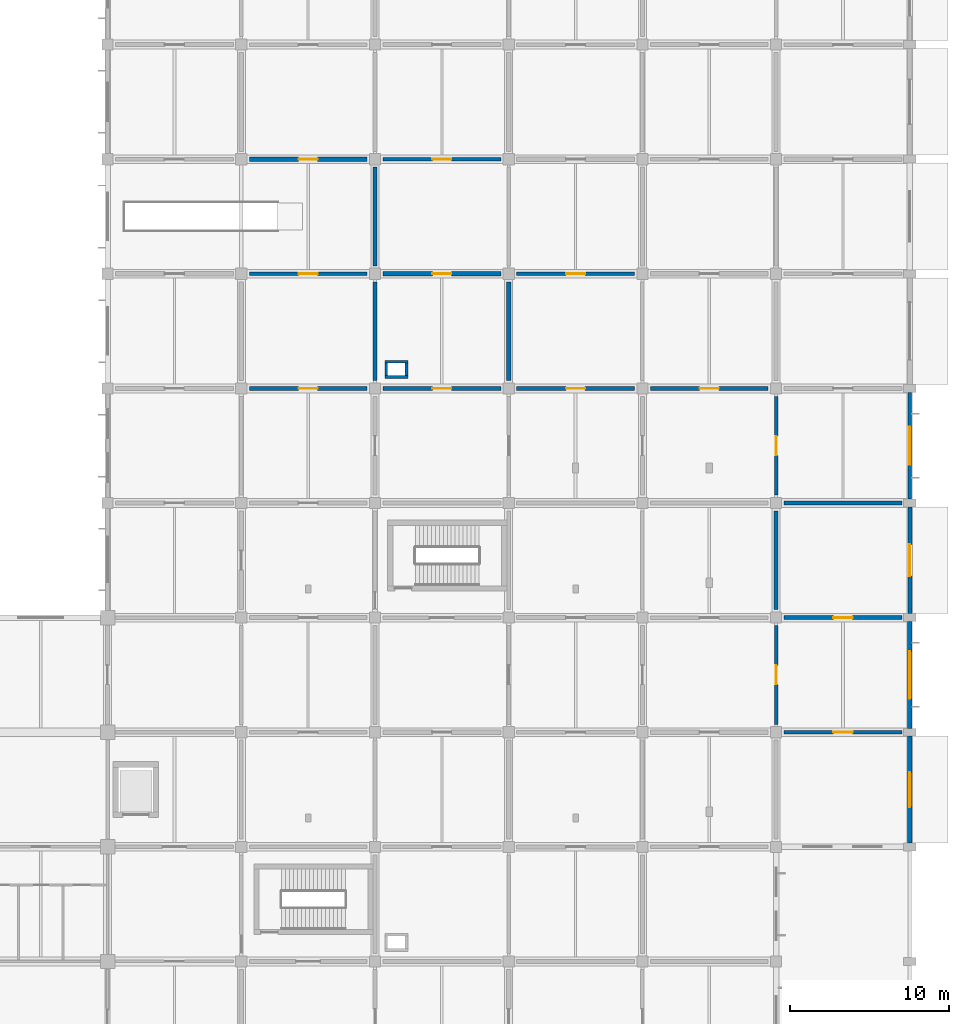
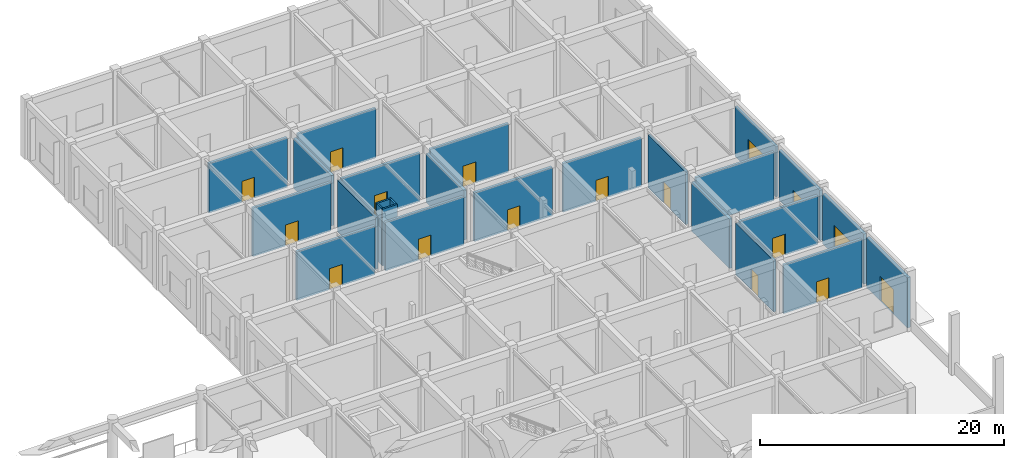
# One storey, part 25 of 39: 26 walls, 15 doors, 2 windows, 17 openings.
"""IFC4 building model written with IfcOpenShell, lengths in metres."""

from ifc_helpers import new_model, si_unit, derived_unit, direction, frame, frame_2d, origin, place, context, subcontext, project, spatial, rectangle, extrude, material, layer, layer_set, type_object, element, fill, save


model = new_model("IFC4")

# Units and contexts
model_context = context("Model", 3, precision=1e-05, world=origin(), true_north=direction((0.0, 1.0)))
body_context = subcontext(model_context, "Body", "Model", "MODEL_VIEW")
ifc_project = project(units=[si_unit("LENGTHUNIT", "METRE"), si_unit("AREAUNIT", "SQUARE_METRE"), si_unit("VOLUMEUNIT", "CUBIC_METRE"), si_unit("PLANEANGLEUNIT", "RADIAN"), si_unit("MASSUNIT", "GRAM", prefix="KILO"), derived_unit("THERMALTRANSMITTANCEUNIT", [(si_unit("MASSUNIT", "GRAM", prefix="KILO"), 1), (si_unit("TIMEUNIT", "SECOND"), -3), (si_unit("THERMODYNAMICTEMPERATUREUNIT", "KELVIN"), -1)])], contexts=[model_context])

# Site, building, storey
site_placement = place(None, origin())
site = spatial("IfcSite", under=ifc_project, at=site_placement, CompositionType="ELEMENT")
building_placement = place(site_placement, origin())
building = spatial("IfcBuilding", under=site, at=building_placement, Name="Veldstrom Oceanarium and Marine Research Institute", CompositionType="ELEMENT")
storey_placement = place(building_placement, origin())
storey = spatial("IfcBuildingStorey", under=building, at=storey_placement, Name="L00", CompositionType="ELEMENT", Elevation=0.0)

# Wall, opening, door
ifc_material_1 = material(Name="Masonry Cavity Wall", Category="masonry")
ifc_layer_1 = layer(ifc_material_1, 0.2900390625)
ifc_layer_set_1 = layer_set([ifc_layer_1], Name="ARC-WAL-EW2")
wall_type_1 = type_object("IfcWallType", Name="ARC-WAL-EW2", PredefinedType="SOLIDWALL", material=ifc_layer_set_1)
wall_1_placement = place(storey_placement, frame((168.0, 57.85009765625, 0.0), z_axis=(0.0, 0.0, 1.0), x_axis=(0.0, 1.0, 0.0)))
wall_1 = element("IfcWall", 1, at=wall_1_placement, inside=storey, type_object=wall_type_1, Name="Exterior Facade Wall EW2 L00-054", PredefinedType="SOLIDWALL", context=body_context, shape_type="SweptSolid", body=[
    extrude(rectangle(XDim=6.699951171875, YDim=0.2900390625, at=frame_2d((3.35009765625, 0.0))), origin(), (0.0, 0.0, 1.0), 5.02001953125),
])
opening_1_placement = place(wall_1_placement, frame((2.25, 0.0, 0.0)))
opening_1 = element("IfcOpeningElement", 2, at=opening_1_placement, cuts=wall_1, Name="Opening D-L00-014", PredefinedType="OPENING", context=body_context, shape_type="SweptSolid", body=[
    extrude(rectangle(XDim=2.199951171875, YDim=2.449951171875, at=frame_2d((1.10009765625, 1.22509765625))), frame((0.0, 0.155029296875, 0.0), z_axis=(0.0, -1.0, 0.0), x_axis=(1.0, 0.0, 0.0)), (0.0, 0.0, 1.0), 0.31005859375),
])
ifc_material_2 = material(Name="Anodised Aluminium Main Entrance Door", Category="aluminium")
door_type_1 = type_object("IfcDoorType", Name="ARC-DOR-ED6", OperationType="DOUBLE_DOOR_SINGLE_SWING", PredefinedType="DOOR", material=ifc_material_2)
door_1_placement = place(opening_1_placement, frame((2.199951171875, 0.0, 0.0), z_axis=(0.0, 0.0, 1.0), x_axis=(-1.0, 0.0, 0.0)))
door_1 = element("IfcDoor", 3, at=door_1_placement, inside=storey, type_object=door_type_1, Name="Street Entrance / Exit Door D-L00-014", OperationType="DOUBLE_DOOR_SINGLE_SWING", OverallHeight=2.449951171875, OverallWidth=2.199951171875, PredefinedType="DOOR", context=body_context, shape_type="SweptSolid", body=[
    extrude(rectangle(XDim=2.199951171875, YDim=2.449951171875, at=frame_2d((1.10009765625, 1.22509765625))), frame((0.0, 0.02490234375, 0.0), z_axis=(0.0, -1.0, 0.0), x_axis=(1.0, 0.0, 0.0)), (0.0, 0.0, 1.0), 0.050048828125),
])
fill(opening_1, door_1)

# Wall, opening, window
ifc_material_3 = material(Name="Masonry Cavity Wall", Category="masonry")
ifc_layer_2 = layer(ifc_material_3, 0.27001953125)
ifc_layer_set_2 = layer_set([ifc_layer_2], Name="ARC-WAL-EW3")
wall_type_2 = type_object("IfcWallType", Name="ARC-WAL-EW3", PredefinedType="SOLIDWALL", material=ifc_layer_set_2)
wall_2_placement = place(storey_placement, frame((168.0, 65.050048828125, 0.0), z_axis=(0.0, 0.0, 1.0), x_axis=(0.0, 1.0, 0.0)))
wall_2 = element("IfcWall", 4, at=wall_2_placement, inside=storey, type_object=wall_type_2, Name="Exterior Facade Wall EW3 L00-055", PredefinedType="SOLIDWALL", context=body_context, shape_type="SweptSolid", body=[
    extrude(rectangle(XDim=6.699951171875, YDim=0.27001953125, at=frame_2d((3.35009765625, 0.0))), origin(), (0.0, 0.0, 1.0), 5.02001953125),
])
opening_2_placement = place(wall_2_placement, frame((1.85009765625, 0.0, 0.89990234375)))
opening_2 = element("IfcOpeningElement", 5, at=opening_2_placement, cuts=wall_2, Name="Opening W07", PredefinedType="OPENING", context=body_context, shape_type="SweptSolid", body=[
    extrude(rectangle(XDim=3.0, YDim=2.10009765625, at=frame_2d((1.5, 1.050048828125))), frame((0.0, 0.14501953125, 0.0), z_axis=(0.0, -1.0, 0.0), x_axis=(1.0, 0.0, 0.0)), (0.0, 0.0, 1.0), 0.2900390625),
])
ifc_material_4 = material(Name="Double Glazed Low-E IGU", Category="glass")
window_type_1 = type_object("IfcWindowType", Name="ARC-WIN-W07", PartitioningType="SINGLE_PANEL", PredefinedType="WINDOW", material=ifc_material_4)
window_1_placement = place(opening_2_placement, origin())
window_1 = element("IfcWindow", 6, at=window_1_placement, inside=storey, type_object=window_type_1, Name="Facade Window W07 L00-0033", OverallHeight=2.10009765625, OverallWidth=3.0, PartitioningType="SINGLE_PANEL", PredefinedType="WINDOW", context=body_context, shape_type="SweptSolid", body=[
    extrude(rectangle(XDim=3.0, YDim=2.10009765625, at=frame_2d((1.5, 1.050048828125))), frame((0.0, 0.030029296875, 0.0), z_axis=(0.0, -1.0, 0.0), x_axis=(1.0, 0.0, 0.0)), (0.0, 0.0, 1.0), 0.06005859375),
])
fill(opening_2, window_1)

# Wall, opening, door
ifc_material_5 = material(Name="Masonry Cavity Wall", Category="masonry")
ifc_layer_3 = layer(ifc_material_5, 0.25)
ifc_layer_set_3 = layer_set([ifc_layer_3], Name="ARC-WAL-EW5")
wall_type_3 = type_object("IfcWallType", Name="ARC-WAL-EW5", PredefinedType="SOLIDWALL", material=ifc_layer_set_3)
wall_3_placement = place(storey_placement, frame((168.0, 72.25, 0.0), z_axis=(0.0, 0.0, 1.0), x_axis=(0.0, 1.0, 0.0)))
wall_3 = element("IfcWall", 7, at=wall_3_placement, inside=storey, type_object=wall_type_3, Name="Exterior Facade Wall EW5 L00-056", PredefinedType="SOLIDWALL", context=body_context, shape_type="SweptSolid", body=[
    extrude(rectangle(XDim=6.699951171875, YDim=0.25, at=frame_2d((3.35009765625, 0.0))), origin(), (0.0, 0.0, 1.0), 5.02001953125),
])
opening_3_placement = place(wall_3_placement, frame((2.35009765625, 0.0, 0.0)))
opening_3 = element("IfcOpeningElement", 8, at=opening_3_placement, cuts=wall_3, Name="Opening D-L00-015", PredefinedType="OPENING", context=body_context, shape_type="SweptSolid", body=[
    extrude(rectangle(XDim=2.0, YDim=2.39990234375, at=frame_2d((1.0, 1.199951171875))), frame((0.0, 0.135009765625, 0.0), z_axis=(0.0, -1.0, 0.0), x_axis=(1.0, 0.0, 0.0)), (0.0, 0.0, 1.0), 0.27001953125),
])
ifc_material_6 = material(Name="Anodised Aluminium Glazed Door", Category="aluminium")
door_type_2 = type_object("IfcDoorType", Name="ARC-DOR-ED1", OperationType="DOUBLE_DOOR_SINGLE_SWING", PredefinedType="DOOR", material=ifc_material_6)
door_2_placement = place(opening_3_placement, frame((2.0, 0.0, 0.0), z_axis=(0.0, 0.0, 1.0), x_axis=(-1.0, 0.0, 0.0)))
door_2 = element("IfcDoor", 9, at=door_2_placement, inside=storey, type_object=door_type_2, Name="Street Entrance / Exit Door D-L00-015", OperationType="DOUBLE_DOOR_SINGLE_SWING", OverallHeight=2.39990234375, OverallWidth=2.0, PredefinedType="DOOR", context=body_context, shape_type="SweptSolid", body=[
    extrude(rectangle(XDim=2.0, YDim=2.39990234375, at=frame_2d((1.0, 1.199951171875))), frame((0.0, 0.02490234375, 0.0), z_axis=(0.0, -1.0, 0.0), x_axis=(1.0, 0.0, 0.0)), (0.0, 0.0, 1.0), 0.050048828125),
])
fill(opening_3, door_2)

# Wall, opening, window
ifc_material_7 = material(Name="Masonry Cavity Wall", Category="masonry")
ifc_layer_4 = layer(ifc_material_7, 0.215087890625)
ifc_layer_set_4 = layer_set([ifc_layer_4], Name="ARC-WAL-EW6")
wall_type_4 = type_object("IfcWallType", Name="ARC-WAL-EW6", PredefinedType="SOLIDWALL", material=ifc_layer_set_4)
wall_4_placement = place(storey_placement, frame((168.0, 79.449951171875, 0.0), z_axis=(0.0, 0.0, 1.0), x_axis=(0.0, 1.0, 0.0)))
wall_4 = element("IfcWall", 10, at=wall_4_placement, inside=storey, type_object=wall_type_4, Name="Exterior Facade Wall EW6 L00-057", PredefinedType="SOLIDWALL", context=body_context, shape_type="SweptSolid", body=[
    extrude(rectangle(XDim=6.699951171875, YDim=0.215087890625, at=frame_2d((3.35009765625, 0.0))), origin(), (0.0, 0.0, 1.0), 5.02001953125),
])
opening_4_placement = place(wall_4_placement, frame((2.14990234375, 0.0, 0.89990234375)))
opening_4 = element("IfcOpeningElement", 11, at=opening_4_placement, cuts=wall_4, Name="Opening W09", PredefinedType="OPENING", context=body_context, shape_type="SweptSolid", body=[
    extrude(rectangle(XDim=2.39990234375, YDim=2.10009765625, at=frame_2d((1.199951171875, 1.050048828125))), frame((0.0, 0.117431640625, 0.0), z_axis=(0.0, -1.0, 0.0), x_axis=(1.0, 0.0, 0.0)), (0.0, 0.0, 1.0), 0.235107421875),
])
ifc_material_8 = material(Name="Double Glazed Low-E IGU", Category="glass")
window_type_2 = type_object("IfcWindowType", Name="ARC-WIN-W09", PartitioningType="SINGLE_PANEL", PredefinedType="WINDOW", material=ifc_material_8)
window_2_placement = place(opening_4_placement, origin())
window_2 = element("IfcWindow", 12, at=window_2_placement, inside=storey, type_object=window_type_2, Name="Facade Window W09 L00-0034", OverallHeight=2.10009765625, OverallWidth=2.39990234375, PartitioningType="SINGLE_PANEL", PredefinedType="WINDOW", context=body_context, shape_type="SweptSolid", body=[
    extrude(rectangle(XDim=2.39990234375, YDim=2.10009765625, at=frame_2d((1.199951171875, 1.050048828125))), frame((0.0, 0.030029296875, 0.0), z_axis=(0.0, -1.0, 0.0), x_axis=(1.0, 0.0, 0.0)), (0.0, 0.0, 1.0), 0.06005859375),
])
fill(opening_4, window_2)

# Wall
ifc_material_9 = material(Name="Masonry Fire Compartment Wall", Category="masonry")
ifc_layer_5 = layer(ifc_material_9, 0.22998046875)
ifc_layer_set_5 = layer_set([ifc_layer_5], Name="ARC-WAL-PT1")
wall_type_5 = type_object("IfcWallType", Name="ARC-WAL-PT1", PredefinedType="PARTITIONING", material=ifc_layer_set_5)
wall_5_placement = place(storey_placement, frame((134.39990234375, 86.89990234375, 0.0), z_axis=(0.0, 0.0, 1.0), x_axis=(0.0, 1.0, 0.0)))
element("IfcWall", 13, at=wall_5_placement, inside=storey, type_object=wall_type_5, Name="Interior Partition PT1 L00-0754", PredefinedType="PARTITIONING", context=body_context, shape_type="SweptSolid", body=[
    extrude(rectangle(XDim=6.2001953125, YDim=0.22998046875, at=frame_2d((3.10009765625, 0.0))), origin(), (0.0, 0.0, 1.0), 5.169921875),
])

# Wall, opening, door
wall_6_placement = place(storey_placement, frame((126.5, 93.60009765625, 0.0), z_axis=(0.0, 0.0, 1.0), x_axis=(1.0, 0.0, 0.0)))
wall_6 = element("IfcWall", 14, at=wall_6_placement, inside=storey, type_object=wall_type_5, Name="Interior Partition PT1 L00-0755", PredefinedType="PARTITIONING", context=body_context, shape_type="SweptSolid", body=[
    extrude(rectangle(XDim=7.39990234375, YDim=0.22998046875, at=frame_2d((3.699951171875, 0.0))), origin(), (0.0, 0.0, 1.0), 4.8701171875),
])
opening_5_placement = place(wall_6_placement, frame((3.10009765625, 0.0, 0.0)))
opening_5 = element("IfcOpeningElement", 15, at=opening_5_placement, cuts=wall_6, Name="Opening D-L00-436", PredefinedType="OPENING", context=body_context, shape_type="SweptSolid", body=[
    extrude(rectangle(XDim=1.199951171875, YDim=2.10009765625, at=frame_2d((0.60009765625, 1.050048828125))), frame((0.0, 0.125, 0.0), z_axis=(0.0, -1.0, 0.0), x_axis=(1.0, 0.0, 0.0)), (0.0, 0.0, 1.0), 0.25),
])
ifc_material_10 = material(Name="Quarantine Biosecure Door", Category="steel")
door_type_3 = type_object("IfcDoorType", Name="ARC-DOR-ID06", OperationType="SINGLE_SWING_RIGHT", PredefinedType="DOOR", material=ifc_material_10)
door_3_placement = place(opening_5_placement, frame((1.199951171875, 0.0, 0.0), z_axis=(0.0, 0.0, 1.0), x_axis=(-1.0, 0.0, 0.0)))
door_3 = element("IfcDoor", 16, at=door_3_placement, inside=storey, type_object=door_type_3, Name="Interior Door D-L00-436", OperationType="SINGLE_SWING_LEFT", OverallHeight=2.10009765625, OverallWidth=1.199951171875, PredefinedType="DOOR", context=body_context, shape_type="SweptSolid", body=[
    extrude(rectangle(XDim=1.199951171875, YDim=2.10009765625, at=frame_2d((0.60009765625, 1.050048828125))), frame((0.0, 0.02490234375, 0.0), z_axis=(0.0, -1.0, 0.0), x_axis=(1.0, 0.0, 0.0)), (0.0, 0.0, 1.0), 0.050048828125),
])
fill(opening_5, door_3)

wall_7_placement = place(storey_placement, frame((134.89990234375, 86.39990234375, 0.0), z_axis=(0.0, 0.0, 1.0), x_axis=(1.0, 0.0, 0.0)))
wall_7 = element("IfcWall", 17, at=wall_7_placement, inside=storey, type_object=wall_type_5, Name="Interior Partition PT1 L00-0772", PredefinedType="PARTITIONING", context=body_context, shape_type="SweptSolid", body=[
    extrude(rectangle(XDim=7.400146484375, YDim=0.22998046875, at=frame_2d((3.7001953125, 0.0))), origin(), (0.0, 0.0, 1.0), 4.8701171875),
])
opening_6_placement = place(wall_7_placement, frame((3.10009765625, 0.0, 0.0)))
opening_6 = element("IfcOpeningElement", 18, at=opening_6_placement, cuts=wall_7, Name="Opening D-L00-445", PredefinedType="OPENING", context=body_context, shape_type="SweptSolid", body=[
    extrude(rectangle(XDim=1.199951171875, YDim=2.10009765625, at=frame_2d((0.60009765625, 1.050048828125))), frame((0.0, 0.125, 0.0), z_axis=(0.0, -1.0, 0.0), x_axis=(1.0, 0.0, 0.0)), (0.0, 0.0, 1.0), 0.25),
])
door_4_placement = place(opening_6_placement, frame((1.199951171875, 0.0, 0.0), z_axis=(0.0, 0.0, 1.0), x_axis=(-1.0, 0.0, 0.0)))
door_4 = element("IfcDoor", 19, at=door_4_placement, inside=storey, type_object=door_type_3, Name="Interior Door D-L00-445", OperationType="SINGLE_SWING_LEFT", OverallHeight=2.10009765625, OverallWidth=1.199951171875, PredefinedType="DOOR", context=body_context, shape_type="SweptSolid", body=[
    extrude(rectangle(XDim=1.199951171875, YDim=2.10009765625, at=frame_2d((0.60009765625, 1.050048828125))), frame((0.0, 0.02490234375, 0.0), z_axis=(0.0, -1.0, 0.0), x_axis=(1.0, 0.0, 0.0)), (0.0, 0.0, 1.0), 0.050048828125),
])
fill(opening_6, door_4)

wall_8_placement = place(storey_placement, frame((134.89990234375, 100.800048828125, 0.0), z_axis=(0.0, 0.0, 1.0), x_axis=(1.0, 0.0, 0.0)))
wall_8 = element("IfcWall", 20, at=wall_8_placement, inside=storey, type_object=wall_type_5, Name="Interior Partition PT1 L00-0776", PredefinedType="PARTITIONING", context=body_context, shape_type="SweptSolid", body=[
    extrude(rectangle(XDim=7.400146484375, YDim=0.22998046875, at=frame_2d((3.7001953125, 0.0))), origin(), (0.0, 0.0, 1.0), 4.969970703125),
])
opening_7_placement = place(wall_8_placement, frame((3.10009765625, 0.0, 0.0)))
opening_7 = element("IfcOpeningElement", 21, at=opening_7_placement, cuts=wall_8, Name="Opening D-L00-447", PredefinedType="OPENING", context=body_context, shape_type="SweptSolid", body=[
    extrude(rectangle(XDim=1.199951171875, YDim=2.10009765625, at=frame_2d((0.60009765625, 1.050048828125))), frame((0.0, 0.125, 0.0), z_axis=(0.0, -1.0, 0.0), x_axis=(1.0, 0.0, 0.0)), (0.0, 0.0, 1.0), 0.25),
])
door_5_placement = place(opening_7_placement, frame((1.199951171875, 0.0, 0.0), z_axis=(0.0, 0.0, 1.0), x_axis=(-1.0, 0.0, 0.0)))
door_5 = element("IfcDoor", 22, at=door_5_placement, inside=storey, type_object=door_type_3, Name="Interior Door D-L00-447", OperationType="SINGLE_SWING_LEFT", OverallHeight=2.10009765625, OverallWidth=1.199951171875, PredefinedType="DOOR", context=body_context, shape_type="SweptSolid", body=[
    extrude(rectangle(XDim=1.199951171875, YDim=2.10009765625, at=frame_2d((0.60009765625, 1.050048828125))), frame((0.0, 0.02490234375, 0.0), z_axis=(0.0, -1.0, 0.0), x_axis=(1.0, 0.0, 0.0)), (0.0, 0.0, 1.0), 0.050048828125),
])
fill(opening_7, door_5)

wall_9_placement = place(storey_placement, frame((143.300048828125, 93.60009765625, 0.0), z_axis=(0.0, 0.0, 1.0), x_axis=(1.0, 0.0, 0.0)))
wall_9 = element("IfcWall", 23, at=wall_9_placement, inside=storey, type_object=wall_type_5, Name="Interior Partition PT1 L00-0793", PredefinedType="PARTITIONING", context=body_context, shape_type="SweptSolid", body=[
    extrude(rectangle(XDim=7.39990234375, YDim=0.22998046875, at=frame_2d((3.699951171875, 0.0))), origin(), (0.0, 0.0, 1.0), 4.8701171875),
])
opening_8_placement = place(wall_9_placement, frame((3.10009765625, 0.0, 0.0)))
opening_8 = element("IfcOpeningElement", 24, at=opening_8_placement, cuts=wall_9, Name="Opening D-L00-456", PredefinedType="OPENING", context=body_context, shape_type="SweptSolid", body=[
    extrude(rectangle(XDim=1.199951171875, YDim=2.10009765625, at=frame_2d((0.60009765625, 1.050048828125))), frame((0.0, 0.125, 0.0), z_axis=(0.0, -1.0, 0.0), x_axis=(1.0, 0.0, 0.0)), (0.0, 0.0, 1.0), 0.25),
])
door_6_placement = place(opening_8_placement, frame((1.199951171875, 0.0, 0.0), z_axis=(0.0, 0.0, 1.0), x_axis=(-1.0, 0.0, 0.0)))
door_6 = element("IfcDoor", 25, at=door_6_placement, inside=storey, type_object=door_type_3, Name="Interior Door D-L00-456", OperationType="SINGLE_SWING_LEFT", OverallHeight=2.10009765625, OverallWidth=1.199951171875, PredefinedType="DOOR", context=body_context, shape_type="SweptSolid", body=[
    extrude(rectangle(XDim=1.199951171875, YDim=2.10009765625, at=frame_2d((0.60009765625, 1.050048828125))), frame((0.0, 0.02490234375, 0.0), z_axis=(0.0, -1.0, 0.0), x_axis=(1.0, 0.0, 0.0)), (0.0, 0.0, 1.0), 0.050048828125),
])
fill(opening_8, door_6)

wall_10_placement = place(storey_placement, frame((159.60009765625, 65.300048828125, 0.0), z_axis=(0.0, 0.0, 1.0), x_axis=(0.0, 1.0, 0.0)))
wall_10 = element("IfcWall", 26, at=wall_10_placement, inside=storey, type_object=wall_type_5, Name="Interior Partition PT1 L00-0803", PredefinedType="PARTITIONING", context=body_context, shape_type="SweptSolid", body=[
    extrude(rectangle(XDim=6.199951171875, YDim=0.22998046875, at=frame_2d((3.10009765625, 0.0))), origin(), (0.0, 0.0, 1.0), 5.169921875),
])
opening_9_placement = place(wall_10_placement, frame((2.5, 0.0, 0.0)))
opening_9 = element("IfcOpeningElement", 27, at=opening_9_placement, cuts=wall_10, Name="Opening D-L00-461", PredefinedType="OPENING", context=body_context, shape_type="SweptSolid", body=[
    extrude(rectangle(XDim=1.199951171875, YDim=2.10009765625, at=frame_2d((0.60009765625, 1.050048828125))), frame((0.0, 0.125, 0.0), z_axis=(0.0, -1.0, 0.0), x_axis=(1.0, 0.0, 0.0)), (0.0, 0.0, 1.0), 0.25),
])
door_7_placement = place(opening_9_placement, origin())
door_7 = element("IfcDoor", 28, at=door_7_placement, inside=storey, type_object=door_type_3, Name="Interior Door D-L00-461", OperationType="SINGLE_SWING_RIGHT", OverallHeight=2.10009765625, OverallWidth=1.199951171875, PredefinedType="DOOR", context=body_context, shape_type="SweptSolid", body=[
    extrude(rectangle(XDim=1.199951171875, YDim=2.10009765625, at=frame_2d((0.60009765625, 1.050048828125))), frame((0.0, 0.02490234375, 0.0), z_axis=(0.0, -1.0, 0.0), x_axis=(1.0, 0.0, 0.0)), (0.0, 0.0, 1.0), 0.050048828125),
])
fill(opening_9, door_7)

wall_11_placement = place(storey_placement, frame((159.60009765625, 79.699951171875, 0.0), z_axis=(0.0, 0.0, 1.0), x_axis=(0.0, 1.0, 0.0)))
wall_11 = element("IfcWall", 29, at=wall_11_placement, inside=storey, type_object=wall_type_5, Name="Interior Partition PT1 L00-0807", PredefinedType="PARTITIONING", context=body_context, shape_type="SweptSolid", body=[
    extrude(rectangle(XDim=6.199951171875, YDim=0.22998046875, at=frame_2d((3.10009765625, 0.0))), origin(), (0.0, 0.0, 1.0), 5.27001953125),
])
opening_10_placement = place(wall_11_placement, frame((2.5, 0.0, 0.0)))
opening_10 = element("IfcOpeningElement", 30, at=opening_10_placement, cuts=wall_11, Name="Opening D-L00-463", PredefinedType="OPENING", context=body_context, shape_type="SweptSolid", body=[
    extrude(rectangle(XDim=1.199951171875, YDim=2.10009765625, at=frame_2d((0.60009765625, 1.050048828125))), frame((0.0, 0.125, 0.0), z_axis=(0.0, -1.0, 0.0), x_axis=(1.0, 0.0, 0.0)), (0.0, 0.0, 1.0), 0.25),
])
door_8_placement = place(opening_10_placement, origin())
door_8 = element("IfcDoor", 31, at=door_8_placement, inside=storey, type_object=door_type_3, Name="Interior Door D-L00-463", OperationType="SINGLE_SWING_RIGHT", OverallHeight=2.10009765625, OverallWidth=1.199951171875, PredefinedType="DOOR", context=body_context, shape_type="SweptSolid", body=[
    extrude(rectangle(XDim=1.199951171875, YDim=2.10009765625, at=frame_2d((0.60009765625, 1.050048828125))), frame((0.0, 0.02490234375, 0.0), z_axis=(0.0, -1.0, 0.0), x_axis=(1.0, 0.0, 0.0)), (0.0, 0.0, 1.0), 0.050048828125),
])
fill(opening_10, door_8)

wall_12_placement = place(storey_placement, frame((151.699951171875, 86.39990234375, 0.0), z_axis=(0.0, 0.0, 1.0), x_axis=(1.0, 0.0, 0.0)))
wall_12 = element("IfcWall", 32, at=wall_12_placement, inside=storey, type_object=wall_type_5, Name="Interior Partition PT1 L00-0808", PredefinedType="PARTITIONING", context=body_context, shape_type="SweptSolid", body=[
    extrude(rectangle(XDim=7.400146484375, YDim=0.22998046875, at=frame_2d((3.7001953125, 0.0))), origin(), (0.0, 0.0, 1.0), 4.8701171875),
])
opening_11_placement = place(wall_12_placement, frame((3.10009765625, 0.0, 0.0)))
opening_11 = element("IfcOpeningElement", 33, at=opening_11_placement, cuts=wall_12, Name="Opening D-L00-464", PredefinedType="OPENING", context=body_context, shape_type="SweptSolid", body=[
    extrude(rectangle(XDim=1.199951171875, YDim=2.10009765625, at=frame_2d((0.60009765625, 1.050048828125))), frame((0.0, 0.125, 0.0), z_axis=(0.0, -1.0, 0.0), x_axis=(1.0, 0.0, 0.0)), (0.0, 0.0, 1.0), 0.25),
])
door_9_placement = place(opening_11_placement, frame((1.199951171875, 0.0, 0.0), z_axis=(0.0, 0.0, 1.0), x_axis=(-1.0, 0.0, 0.0)))
door_9 = element("IfcDoor", 34, at=door_9_placement, inside=storey, type_object=door_type_3, Name="Interior Door D-L00-464", OperationType="SINGLE_SWING_LEFT", OverallHeight=2.10009765625, OverallWidth=1.199951171875, PredefinedType="DOOR", context=body_context, shape_type="SweptSolid", body=[
    extrude(rectangle(XDim=1.199951171875, YDim=2.10009765625, at=frame_2d((0.60009765625, 1.050048828125))), frame((0.0, 0.02490234375, 0.0), z_axis=(0.0, -1.0, 0.0), x_axis=(1.0, 0.0, 0.0)), (0.0, 0.0, 1.0), 0.050048828125),
])
fill(opening_11, door_9)

wall_13_placement = place(storey_placement, frame((160.10009765625, 64.800048828125, 0.0), z_axis=(0.0, 0.0, 1.0), x_axis=(1.0, 0.0, 0.0)))
wall_13 = element("IfcWall", 35, at=wall_13_placement, inside=storey, type_object=wall_type_5, Name="Interior Partition PT1 L00-0816", PredefinedType="PARTITIONING", context=body_context, shape_type="SweptSolid", body=[
    extrude(rectangle(XDim=7.39990234375, YDim=0.22998046875, at=frame_2d((3.699951171875, 0.0))), origin(), (0.0, 0.0, 1.0), 4.8701171875),
])
opening_12_placement = place(wall_13_placement, frame((3.10009765625, 0.0, 0.0)))
opening_12 = element("IfcOpeningElement", 36, at=opening_12_placement, cuts=wall_13, Name="Opening D-L00-468", PredefinedType="OPENING", context=body_context, shape_type="SweptSolid", body=[
    extrude(rectangle(XDim=1.199951171875, YDim=2.10009765625, at=frame_2d((0.60009765625, 1.050048828125))), frame((0.0, 0.125, 0.0), z_axis=(0.0, -1.0, 0.0), x_axis=(1.0, 0.0, 0.0)), (0.0, 0.0, 1.0), 0.25),
])
door_10_placement = place(opening_12_placement, frame((1.199951171875, 0.0, 0.0), z_axis=(0.0, 0.0, 1.0), x_axis=(-1.0, 0.0, 0.0)))
door_10 = element("IfcDoor", 37, at=door_10_placement, inside=storey, type_object=door_type_3, Name="Interior Door D-L00-468", OperationType="SINGLE_SWING_LEFT", OverallHeight=2.10009765625, OverallWidth=1.199951171875, PredefinedType="DOOR", context=body_context, shape_type="SweptSolid", body=[
    extrude(rectangle(XDim=1.199951171875, YDim=2.10009765625, at=frame_2d((0.60009765625, 1.050048828125))), frame((0.0, 0.02490234375, 0.0), z_axis=(0.0, -1.0, 0.0), x_axis=(1.0, 0.0, 0.0)), (0.0, 0.0, 1.0), 0.050048828125),
])
fill(opening_12, door_10)

# Wall
wall_14_placement = place(storey_placement, frame((160.10009765625, 79.199951171875, 0.0), z_axis=(0.0, 0.0, 1.0), x_axis=(1.0, 0.0, 0.0)))
element("IfcWall", 38, at=wall_14_placement, inside=storey, type_object=wall_type_5, Name="Interior Partition PT1 L00-0818", PredefinedType="PARTITIONING", context=body_context, shape_type="SweptSolid", body=[
    extrude(rectangle(XDim=7.39990234375, YDim=0.22998046875, at=frame_2d((3.699951171875, 0.0))), origin(), (0.0, 0.0, 1.0), 4.8701171875),
])

# Wall, opening, door
ifc_material_11 = material(Name="Plant Acoustic Masonry Wall", Category="masonry")
ifc_layer_6 = layer(ifc_material_11, 0.260009765625)
ifc_layer_set_6 = layer_set([ifc_layer_6], Name="ARC-WAL-PT8")
wall_type_6 = type_object("IfcWallType", Name="ARC-WAL-PT8", PredefinedType="PARTITIONING", material=ifc_layer_set_6)
wall_15_placement = place(storey_placement, frame((126.5, 86.39990234375, 0.0), z_axis=(0.0, 0.0, 1.0), x_axis=(1.0, 0.0, 0.0)))
wall_15 = element("IfcWall", 39, at=wall_15_placement, inside=storey, type_object=wall_type_6, Name="Interior Partition PT8 L00-0753", PredefinedType="PARTITIONING", context=body_context, shape_type="SweptSolid", body=[
    extrude(rectangle(XDim=7.39990234375, YDim=0.260009765625, at=frame_2d((3.699951171875, 0.0))), origin(), (0.0, 0.0, 1.0), 4.8701171875),
])
opening_13_placement = place(wall_15_placement, frame((3.10009765625, 0.0, 0.0)))
opening_13 = element("IfcOpeningElement", 40, at=opening_13_placement, cuts=wall_15, Name="Opening D-L00-435", PredefinedType="OPENING", context=body_context, shape_type="SweptSolid", body=[
    extrude(rectangle(XDim=1.199951171875, YDim=2.10009765625, at=frame_2d((0.60009765625, 1.050048828125))), frame((0.0, 0.139892578125, 0.0), z_axis=(0.0, -1.0, 0.0), x_axis=(1.0, 0.0, 0.0)), (0.0, 0.0, 1.0), 0.280029296875),
])
door_11_placement = place(opening_13_placement, origin())
door_11 = element("IfcDoor", 41, at=door_11_placement, inside=storey, type_object=door_type_3, Name="Interior Door D-L00-435", OperationType="SINGLE_SWING_LEFT", OverallHeight=2.10009765625, OverallWidth=1.199951171875, PredefinedType="DOOR", context=body_context, shape_type="SweptSolid", body=[
    extrude(rectangle(XDim=1.199951171875, YDim=2.10009765625, at=frame_2d((0.60009765625, 1.050048828125))), frame((0.0, 0.02490234375, 0.0), z_axis=(0.0, -1.0, 0.0), x_axis=(1.0, 0.0, 0.0)), (0.0, 0.0, 1.0), 0.050048828125),
])
fill(opening_13, door_11)

# Wall
wall_16_placement = place(storey_placement, frame((134.39990234375, 94.10009765625, 0.0), z_axis=(0.0, 0.0, 1.0), x_axis=(0.0, 1.0, 0.0)))
element("IfcWall", 42, at=wall_16_placement, inside=storey, type_object=wall_type_6, Name="Interior Partition PT8 L00-0756", PredefinedType="PARTITIONING", context=body_context, shape_type="SweptSolid", body=[
    extrude(rectangle(XDim=6.199951171875, YDim=0.260009765625, at=frame_2d((3.10009765625, 0.0))), origin(), (0.0, 0.0, 1.0), 5.02001953125),
])

# Wall, opening, door
wall_17_placement = place(storey_placement, frame((126.5, 100.800048828125, 0.0), z_axis=(0.0, 0.0, 1.0), x_axis=(1.0, 0.0, 0.0)))
wall_17 = element("IfcWall", 43, at=wall_17_placement, inside=storey, type_object=wall_type_6, Name="Interior Partition PT8 L00-0757", PredefinedType="PARTITIONING", context=body_context, shape_type="SweptSolid", body=[
    extrude(rectangle(XDim=7.39990234375, YDim=0.260009765625, at=frame_2d((3.699951171875, 0.0))), origin(), (0.0, 0.0, 1.0), 4.969970703125),
])
opening_14_placement = place(wall_17_placement, frame((3.10009765625, 0.0, 0.0)))
opening_14 = element("IfcOpeningElement", 44, at=opening_14_placement, cuts=wall_17, Name="Opening D-L00-437", PredefinedType="OPENING", context=body_context, shape_type="SweptSolid", body=[
    extrude(rectangle(XDim=1.199951171875, YDim=2.10009765625, at=frame_2d((0.60009765625, 1.050048828125))), frame((0.0, 0.139892578125, 0.0), z_axis=(0.0, -1.0, 0.0), x_axis=(1.0, 0.0, 0.0)), (0.0, 0.0, 1.0), 0.280029296875),
])
door_12_placement = place(opening_14_placement, origin())
door_12 = element("IfcDoor", 45, at=door_12_placement, inside=storey, type_object=door_type_3, Name="Interior Door D-L00-437", OperationType="SINGLE_SWING_LEFT", OverallHeight=2.10009765625, OverallWidth=1.199951171875, PredefinedType="DOOR", context=body_context, shape_type="SweptSolid", body=[
    extrude(rectangle(XDim=1.199951171875, YDim=2.10009765625, at=frame_2d((0.60009765625, 1.050048828125))), frame((0.0, 0.02490234375, 0.0), z_axis=(0.0, -1.0, 0.0), x_axis=(1.0, 0.0, 0.0)), (0.0, 0.0, 1.0), 0.050048828125),
])
fill(opening_14, door_12)

# Wall
wall_18_placement = place(storey_placement, frame((142.800048828125, 86.89990234375, 0.0), z_axis=(0.0, 0.0, 1.0), x_axis=(0.0, 1.0, 0.0)))
element("IfcWall", 46, at=wall_18_placement, inside=storey, type_object=wall_type_6, Name="Interior Partition PT8 L00-0773", PredefinedType="PARTITIONING", context=body_context, shape_type="SweptSolid", body=[
    extrude(rectangle(XDim=6.2001953125, YDim=0.260009765625, at=frame_2d((3.10009765625, 0.0))), origin(), (0.0, 0.0, 1.0), 4.919921875),
])

# Wall, opening, door
wall_19_placement = place(storey_placement, frame((134.89990234375, 93.60009765625, 0.0), z_axis=(0.0, 0.0, 1.0), x_axis=(1.0, 0.0, 0.0)))
wall_19 = element("IfcWall", 47, at=wall_19_placement, inside=storey, type_object=wall_type_6, Name="Interior Partition PT8 L00-0774", PredefinedType="PARTITIONING", context=body_context, shape_type="SweptSolid", body=[
    extrude(rectangle(XDim=7.400146484375, YDim=0.260009765625, at=frame_2d((3.7001953125, 0.0))), origin(), (0.0, 0.0, 1.0), 4.8701171875),
])
opening_15_placement = place(wall_19_placement, frame((3.10009765625, 0.0, 0.0)))
opening_15 = element("IfcOpeningElement", 48, at=opening_15_placement, cuts=wall_19, Name="Opening D-L00-446", PredefinedType="OPENING", context=body_context, shape_type="SweptSolid", body=[
    extrude(rectangle(XDim=1.199951171875, YDim=2.10009765625, at=frame_2d((0.60009765625, 1.050048828125))), frame((0.0, 0.139892578125, 0.0), z_axis=(0.0, -1.0, 0.0), x_axis=(1.0, 0.0, 0.0)), (0.0, 0.0, 1.0), 0.280029296875),
])
door_13_placement = place(opening_15_placement, origin())
door_13 = element("IfcDoor", 49, at=door_13_placement, inside=storey, type_object=door_type_3, Name="Interior Door D-L00-446", OperationType="SINGLE_SWING_LEFT", OverallHeight=2.10009765625, OverallWidth=1.199951171875, PredefinedType="DOOR", context=body_context, shape_type="SweptSolid", body=[
    extrude(rectangle(XDim=1.199951171875, YDim=2.10009765625, at=frame_2d((0.60009765625, 1.050048828125))), frame((0.0, 0.02490234375, 0.0), z_axis=(0.0, -1.0, 0.0), x_axis=(1.0, 0.0, 0.0)), (0.0, 0.0, 1.0), 0.050048828125),
])
fill(opening_15, door_13)

wall_20_placement = place(storey_placement, frame((143.300048828125, 86.39990234375, 0.0), z_axis=(0.0, 0.0, 1.0), x_axis=(1.0, 0.0, 0.0)))
wall_20 = element("IfcWall", 50, at=wall_20_placement, inside=storey, type_object=wall_type_6, Name="Interior Partition PT8 L00-0791", PredefinedType="PARTITIONING", context=body_context, shape_type="SweptSolid", body=[
    extrude(rectangle(XDim=7.39990234375, YDim=0.260009765625, at=frame_2d((3.699951171875, 0.0))), origin(), (0.0, 0.0, 1.0), 4.8701171875),
])
opening_16_placement = place(wall_20_placement, frame((3.10009765625, 0.0, 0.0)))
opening_16 = element("IfcOpeningElement", 51, at=opening_16_placement, cuts=wall_20, Name="Opening D-L00-455", PredefinedType="OPENING", context=body_context, shape_type="SweptSolid", body=[
    extrude(rectangle(XDim=1.199951171875, YDim=2.10009765625, at=frame_2d((0.60009765625, 1.050048828125))), frame((0.0, 0.139892578125, 0.0), z_axis=(0.0, -1.0, 0.0), x_axis=(1.0, 0.0, 0.0)), (0.0, 0.0, 1.0), 0.280029296875),
])
door_14_placement = place(opening_16_placement, origin())
door_14 = element("IfcDoor", 52, at=door_14_placement, inside=storey, type_object=door_type_3, Name="Interior Door D-L00-455", OperationType="SINGLE_SWING_LEFT", OverallHeight=2.10009765625, OverallWidth=1.199951171875, PredefinedType="DOOR", context=body_context, shape_type="SweptSolid", body=[
    extrude(rectangle(XDim=1.199951171875, YDim=2.10009765625, at=frame_2d((0.60009765625, 1.050048828125))), frame((0.0, 0.02490234375, 0.0), z_axis=(0.0, -1.0, 0.0), x_axis=(1.0, 0.0, 0.0)), (0.0, 0.0, 1.0), 0.050048828125),
])
fill(opening_16, door_14)

# Wall
wall_21_placement = place(storey_placement, frame((159.60009765625, 72.5, 0.0), z_axis=(0.0, 0.0, 1.0), x_axis=(0.0, 1.0, 0.0)))
element("IfcWall", 53, at=wall_21_placement, inside=storey, type_object=wall_type_6, Name="Interior Partition PT8 L00-0805", PredefinedType="PARTITIONING", context=body_context, shape_type="SweptSolid", body=[
    extrude(rectangle(XDim=6.199951171875, YDim=0.260009765625, at=frame_2d((3.10009765625, 0.0))), origin(), (0.0, 0.0, 1.0), 4.919921875),
])

# Wall, opening, door
wall_22_placement = place(storey_placement, frame((160.10009765625, 72.0, 0.0), z_axis=(0.0, 0.0, 1.0), x_axis=(1.0, 0.0, 0.0)))
wall_22 = element("IfcWall", 54, at=wall_22_placement, inside=storey, type_object=wall_type_6, Name="Interior Partition PT8 L00-0817", PredefinedType="PARTITIONING", context=body_context, shape_type="SweptSolid", body=[
    extrude(rectangle(XDim=7.39990234375, YDim=0.260009765625, at=frame_2d((3.699951171875, 0.0))), origin(), (0.0, 0.0, 1.0), 4.8701171875),
])
opening_17_placement = place(wall_22_placement, frame((3.10009765625, 0.0, 0.0)))
opening_17 = element("IfcOpeningElement", 55, at=opening_17_placement, cuts=wall_22, Name="Opening D-L00-469", PredefinedType="OPENING", context=body_context, shape_type="SweptSolid", body=[
    extrude(rectangle(XDim=1.199951171875, YDim=2.10009765625, at=frame_2d((0.60009765625, 1.050048828125))), frame((0.0, 0.139892578125, 0.0), z_axis=(0.0, -1.0, 0.0), x_axis=(1.0, 0.0, 0.0)), (0.0, 0.0, 1.0), 0.280029296875),
])
door_15_placement = place(opening_17_placement, origin())
door_15 = element("IfcDoor", 56, at=door_15_placement, inside=storey, type_object=door_type_3, Name="Interior Door D-L00-469", OperationType="SINGLE_SWING_LEFT", OverallHeight=2.10009765625, OverallWidth=1.199951171875, PredefinedType="DOOR", context=body_context, shape_type="SweptSolid", body=[
    extrude(rectangle(XDim=1.199951171875, YDim=2.10009765625, at=frame_2d((0.60009765625, 1.050048828125))), frame((0.0, 0.02490234375, 0.0), z_axis=(0.0, -1.0, 0.0), x_axis=(1.0, 0.0, 0.0)), (0.0, 0.0, 1.0), 0.050048828125),
])
fill(opening_17, door_15)

# Walls
ifc_material_12 = material(Name="Service Riser Fire Shaft Wall", Category="masonry")
ifc_layer_7 = layer(ifc_material_12, 0.1650390625)
ifc_layer_set_7 = layer_set([ifc_layer_7], Name="ARC-WAL-PT9")
wall_type_7 = type_object("IfcWallType", Name="ARC-WAL-PT9", PredefinedType="PARTITIONING", material=ifc_layer_set_7)
for number, where, z_axis, x_axis, name in (
    (57, (135.034912109375, 87.117431640625, 0.0), (0.0, 0.0, 1.0), (1.0, 0.0, 0.0), "Service Riser Fire Shaft Wall L00-EN-S"),
    (58, (135.034912109375, 88.08251953125, 0.0), (0.0, 0.0, 1.0), (1.0, 0.0, 0.0), "Service Riser Fire Shaft Wall L00-EN-N"),
):
    element("IfcWall", number, at=place(storey_placement, frame(where, z_axis=z_axis, x_axis=x_axis)), inside=storey, type_object=wall_type_7, Name=name, PredefinedType="PARTITIONING", context=body_context, shape_type="SweptSolid", body=[
        extrude(rectangle(XDim=1.43017578125, YDim=0.1650390625, at=frame_2d((0.715087890625, 0.0))), origin(), (0.0, 0.0, 1.0), 5.675048828125),
    ])
for number, where, z_axis, x_axis, name in (
    (59, (135.117431640625, 87.199951171875, 0.0), (0.0, 0.0, 1.0), (0.0, 1.0, 0.0), "Service Riser Fire Shaft Wall L00-EN-W"),
    (60, (136.382568359375, 87.199951171875, 0.0), (0.0, 0.0, 1.0), (0.0, 1.0, 0.0), "Service Riser Fire Shaft Wall L00-EN-E"),
):
    element("IfcWall", number, at=place(storey_placement, frame(where, z_axis=z_axis, x_axis=x_axis)), inside=storey, type_object=wall_type_7, Name=name, PredefinedType="PARTITIONING", context=body_context, shape_type="SweptSolid", body=[
        extrude(rectangle(XDim=0.800048828125, YDim=0.1650390625, at=frame_2d((0.39990234375, 0.0))), origin(), (0.0, 0.0, 1.0), 5.675048828125),
    ])

save(model, "model.ifc")
